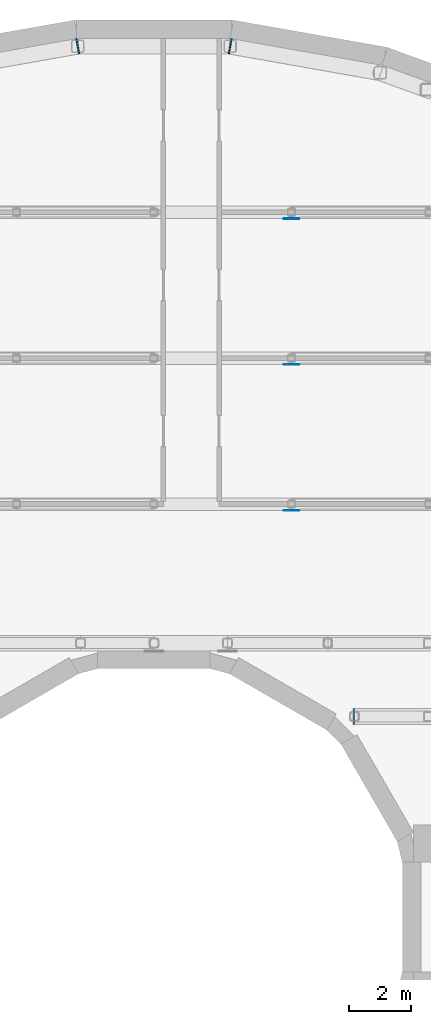
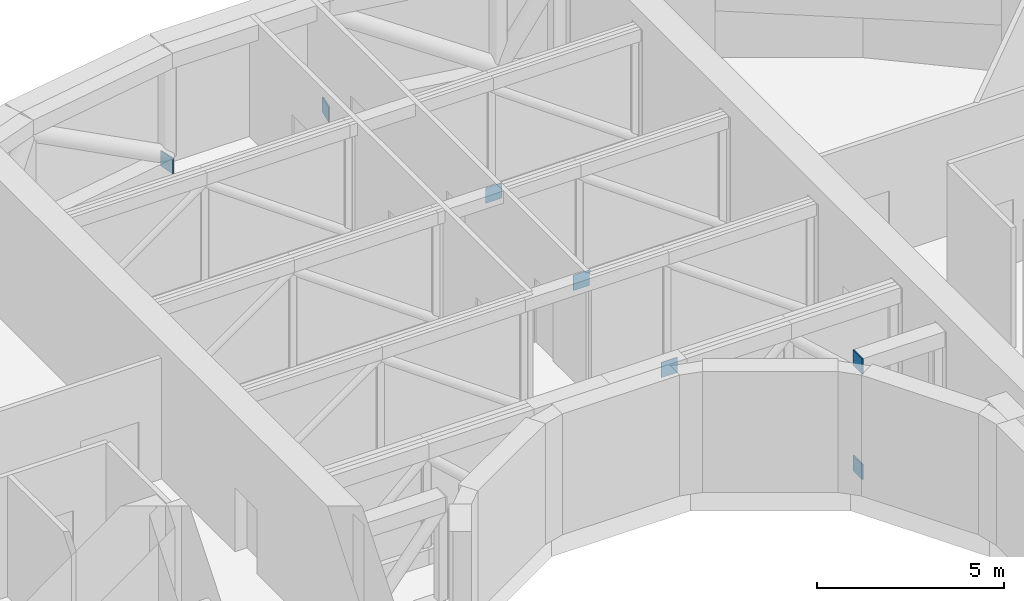
# One storey, part 20 of 21: 7 discrete accessories.
"""IFC4 building model written with IfcOpenShell, lengths in metres."""

from ifc_helpers import new_model, si_unit, direction, frame, origin, origin_2d, place, context, subcontext, project, spatial, rectangle, extrude, material, material_profile, profile_set, type_object, element, save


model = new_model("IFC4")

# Units and contexts
model_context = context("Model", 3, precision=1e-05, world=origin(), true_north=direction((0.0, 1.0)))
body_context = subcontext(model_context, "Body", "Model", "MODEL_VIEW")
ifc_project = project(units=[si_unit("LENGTHUNIT", "METRE"), si_unit("AREAUNIT", "SQUARE_METRE"), si_unit("VOLUMEUNIT", "CUBIC_METRE"), si_unit("PLANEANGLEUNIT", "RADIAN"), si_unit("MASSUNIT", "GRAM", prefix="KILO")], contexts=[model_context])

# Site, building, storey
site_placement = place(None, origin())
site = spatial("IfcSite", under=ifc_project, at=site_placement, CompositionType="ELEMENT")
building_placement = place(site_placement, origin())
building = spatial("IfcBuilding", under=site, at=building_placement, Name="Saqina Gate Tower", CompositionType="ELEMENT")
storey_placement = place(building_placement, frame((0.0, 0.0, 21.800048828125)))
storey = spatial("IfcBuildingStorey", under=building, at=storey_placement, Name="L05", CompositionType="ELEMENT", Elevation=21.800048828125)

# Discrete accessories
ifc_material_1 = material(Name="Steel S460", Category="steel")
ifc_material_profile_1 = material_profile(ifc_material_1, rectangle(XDim=0.5, YDim=0.5, at=origin_2d()), Name="STR-END PLATE-BOX 500x500x40")
ifc_profile_set_1 = profile_set([ifc_material_profile_1], Name="Steel S460")
discrete_accessory_type_1 = type_object("IfcDiscreteAccessoryType", Name="STR-END PLATE-BOX 500x500x40", PredefinedType="USERDEFINED", material=ifc_profile_set_1)
for number, where, z_axis, x_axis, name in (
    (1, (6.45751953125, 6.45751953125, 0.25), (-1.0, 0.0, 0.0), (0.0, -1.0, 0.0), "END PLATE TRANSFER TRUSS CHORD 175 END"),
    (2, (6.45751953125, 6.45751953125, 3.699951171875), (-1.0, 0.0, 0.0), (0.0, -1.0, 0.0), "END PLATE TRANSFER TRUSS CHORD 176 END"),
):
    element("IfcDiscreteAccessory", number, at=place(storey_placement, frame(where, z_axis=z_axis, x_axis=x_axis)), inside=storey, type_object=discrete_accessory_type_1, Name=name, ObjectType="END PLATE", PredefinedType="USERDEFINED", context=body_context, shape_type="SweptSolid", body=[
        extrude(rectangle(XDim=0.5, YDim=0.5, at=origin_2d()), origin(), (0.0, 0.0, 1.0), 0.0400390625),
    ])
ifc_material_2 = material(Name="Steel S460", Category="steel")
ifc_material_profile_2 = material_profile(ifc_material_2, rectangle(XDim=0.5, YDim=0.5, at=origin_2d()), Name="STR-END PLATE-BOX 500x500x60")
ifc_profile_set_2 = profile_set([ifc_material_profile_2], Name="Steel S460")
discrete_accessory_type_2 = type_object("IfcDiscreteAccessoryType", Name="STR-END PLATE-BOX 500x500x60", PredefinedType="USERDEFINED", material=ifc_profile_set_2)
for number, where, z_axis, x_axis, name in (
    (3, (-2.474853515625, 28.0390625, 0.25), (0.984162001364, 0.177271416395, 0.0), (-0.177271416395, 0.984162001364, 0.0), "END PLATE TRANSFER TRUSS CHORD 004 END"),
    (4, (2.474853515625, 28.0390625, 0.25), (-0.984162001364, 0.177271416395, 0.0), (0.177271416395, 0.984162001364, 0.0), "END PLATE TRANSFER TRUSS CHORD 008 START"),
):
    element("IfcDiscreteAccessory", number, at=place(storey_placement, frame(where, z_axis=z_axis, x_axis=x_axis)), inside=storey, type_object=discrete_accessory_type_2, Name=name, ObjectType="END PLATE", PredefinedType="USERDEFINED", context=body_context, shape_type="SweptSolid", body=[
        extrude(rectangle(XDim=0.5, YDim=0.5, at=origin_2d()), origin(), (0.0, 0.0, 1.0), 0.0400390625),
    ])
ifc_material_3 = material(Name="Steel S460", Category="steel")
ifc_material_profile_3 = material_profile(ifc_material_3, rectangle(XDim=0.5, YDim=0.5, at=origin_2d()), Name="STR-END PLATE-GUSSET 500x500x20")
ifc_profile_set_3 = profile_set([ifc_material_profile_3], Name="Steel S460")
discrete_accessory_type_3 = type_object("IfcDiscreteAccessoryType", Name="STR-END PLATE-GUSSET 500x500x20", PredefinedType="USERDEFINED", material=ifc_profile_set_3)
for number, where, z_axis, x_axis, name in (
    (5, (4.428466796875, 13.10009765625, 0.199951171875), (0.0, -1.0, 0.0), (1.0, 0.0, 0.0), "GUSSET PLATE TRANSFER TRUSS CHORD 092"),
    (6, (4.428466796875, 17.800048828125, 0.199951171875), (0.0, -1.0, 0.0), (1.0, 0.0, 0.0), "GUSSET PLATE TRANSFER TRUSS CHORD 122"),
    (7, (4.428466796875, 22.5, 0.199951171875), (0.0, -1.0, 0.0), (1.0, 0.0, 0.0), "GUSSET PLATE TRANSFER TRUSS CHORD 152"),
):
    element("IfcDiscreteAccessory", number, at=place(storey_placement, frame(where, z_axis=z_axis, x_axis=x_axis)), inside=storey, type_object=discrete_accessory_type_3, Name=name, ObjectType="GUSSET PLATE", PredefinedType="USERDEFINED", context=body_context, shape_type="SweptSolid", body=[
        extrude(rectangle(XDim=0.5, YDim=0.5, at=origin_2d()), origin(), (0.0, 0.0, 1.0), 0.02001953125),
    ])

save(model, "model.ifc")
